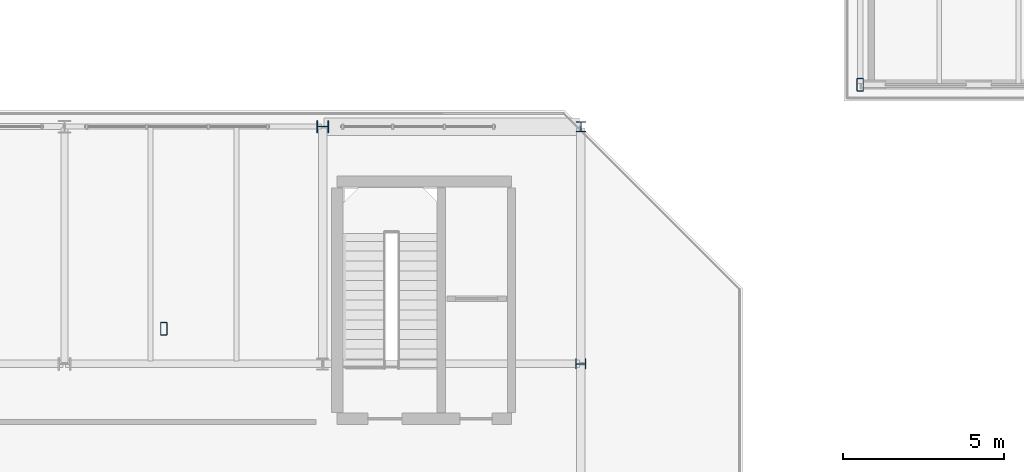
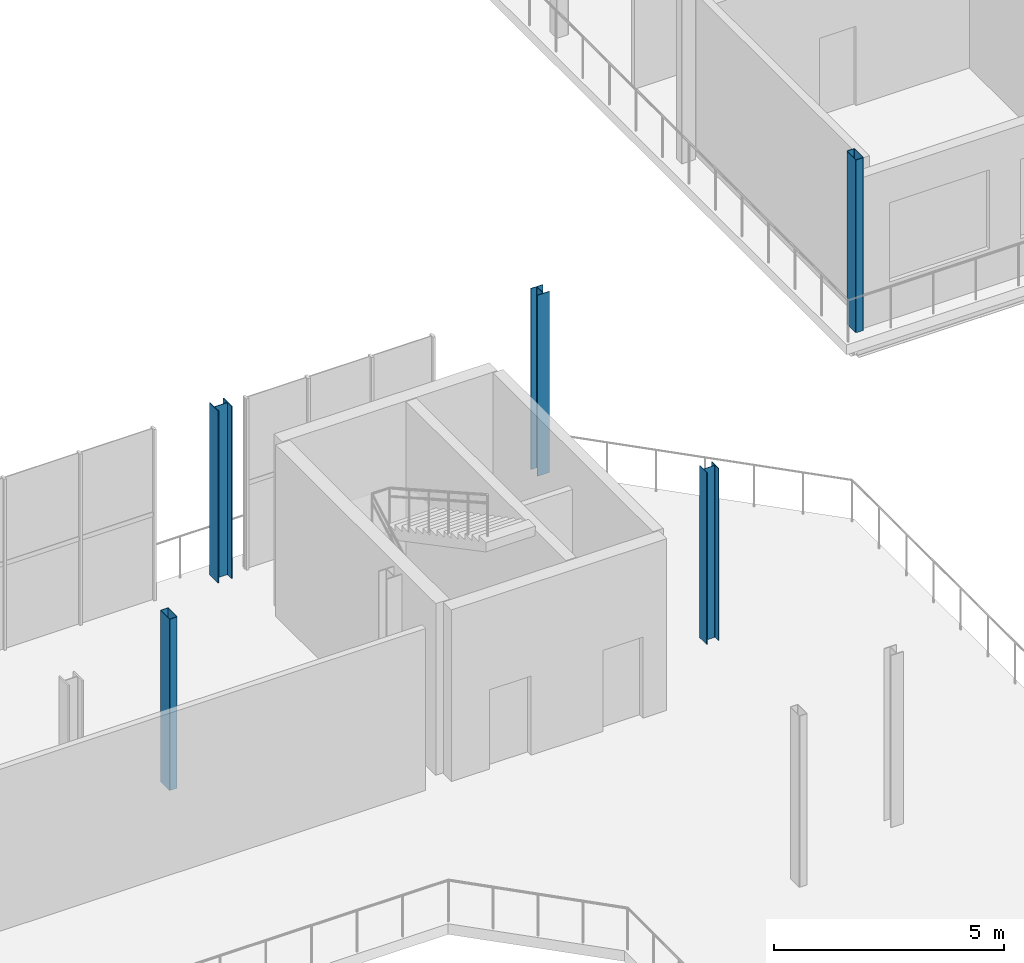
# One storey, part 9 of 51: 5 columns.
"""IFC4 building model written with IfcOpenShell, lengths in metres."""

from ifc_helpers import new_model, si_unit, direction, frame, origin, origin_2d, place, context, subcontext, project, spatial, hollow_rectangle, i_section, extrude, material, material_profile, profile_set, type_object, element, save


model = new_model("IFC4")

# Units and contexts
model_context = context("Model", 3, precision=1e-05, world=origin(), true_north=direction((0.0, 1.0)))
body_context = subcontext(model_context, "Body", "Model", "MODEL_VIEW")
ifc_project = project(units=[si_unit("LENGTHUNIT", "METRE"), si_unit("AREAUNIT", "SQUARE_METRE"), si_unit("VOLUMEUNIT", "CUBIC_METRE"), si_unit("PLANEANGLEUNIT", "RADIAN"), si_unit("MASSUNIT", "GRAM", prefix="KILO")], contexts=[model_context])

# Site, building, storey
site_placement = place(None, origin())
site = spatial("IfcSite", under=ifc_project, at=site_placement, CompositionType="ELEMENT")
building_placement = place(site_placement, origin())
building = spatial("IfcBuilding", under=site, at=building_placement, Name="Brisemont Oceanarium", CompositionType="ELEMENT")
storey_placement = place(building_placement, frame((0.0, 0.0, 15.0)))
storey = spatial("IfcBuildingStorey", under=building, at=storey_placement, Name="L03", CompositionType="ELEMENT", Elevation=15.0)

# Columns
ifc_material_1 = material(Name="Structural Steel ASTM A500 Gr.C", Category="steel")
ifc_material_profile_1 = material_profile(ifc_material_1, hollow_rectangle(XDim=0.202880859375, YDim=0.406005859375, WallThickness=0.01171875, InnerFilletRadius=0.01220703125, OuterFilletRadius=0.02392578125, at=origin_2d()), Name="HSS16X8X1/2")
ifc_profile_set_1 = profile_set([ifc_material_profile_1], Name="Structural Steel ASTM A500 Gr.C")
column_type_1 = type_object("IfcColumnType", Name="COL-HSS16X8", PredefinedType="COLUMN", material=ifc_profile_set_1)
column_1_placement = place(storey_placement, frame((112.64990234375, 80.64990234375, 0.0), z_axis=(0.0, 0.0, 1.0), x_axis=(1.0, 0.0, 0.0)))
element("IfcColumn", 1, at=column_1_placement, inside=storey, type_object=column_type_1, Name="V6 L03 column (0,0)", PredefinedType="COLUMN", context=body_context, shape_type="SweptSolid", body=[
    extrude(hollow_rectangle(XDim=0.202880859375, YDim=0.406005859375, WallThickness=0.01171875, InnerFilletRadius=0.01220703125, OuterFilletRadius=0.02392578125, at=origin_2d()), origin(), (0.0, 0.0, 1.0), 4.580078125),
])
column_2_placement = place(storey_placement, frame((91.07958984375, 73.091796875, 0.0), z_axis=(0.0, 0.0, 1.0), x_axis=(1.0, 0.0, 0.0)))
element("IfcColumn", 2, at=column_2_placement, inside=storey, type_object=column_type_1, Name="V1 dome drum pier L03.2", PredefinedType="COLUMN", context=body_context, shape_type="SweptSolid", body=[
    extrude(hollow_rectangle(XDim=0.202880859375, YDim=0.406005859375, WallThickness=0.01171875, InnerFilletRadius=0.01220703125, OuterFilletRadius=0.02392578125, at=origin_2d()), origin(), (0.0, 0.0, 1.0), 4.5400390625),
])
ifc_material_2 = material(Name="Structural Steel ASTM A992 Gr.50", Category="steel")
ifc_material_profile_2 = material_profile(ifc_material_2, i_section(OverallWidth=0.304931640625, OverallDepth=0.306884765625, WebThickness=0.010009765625, FlangeThickness=0.015380859375, FilletRadius=0.012939453125, at=origin_2d()), Name="W12X65")
ifc_profile_set_2 = profile_set([ifc_material_profile_2], Name="Structural Steel ASTM A992 Gr.50")
column_type_2 = type_object("IfcColumnType", Name="COL-W12X65", PredefinedType="COLUMN", material=ifc_profile_set_2)
column_3_placement = place(storey_placement, frame((104.0, 79.35009765625, 0.0), z_axis=(0.0, 0.0, 1.0), x_axis=(1.0, 0.0, 0.0)))
element("IfcColumn", 3, at=column_3_placement, inside=storey, type_object=column_type_2, Name="V1 L03 column (6,6)", PredefinedType="COLUMN", context=body_context, shape_type="SweptSolid", body=[
    extrude(i_section(OverallWidth=0.304931640625, OverallDepth=0.306884765625, WebThickness=0.010009765625, FlangeThickness=0.015380859375, FilletRadius=0.012939453125, at=origin_2d()), origin(), (0.0, 0.0, 1.0), 4.800048828125),
])
ifc_material_3 = material(Name="Structural Steel ASTM A992 Gr.50", Category="steel")
ifc_material_profile_3 = material_profile(ifc_material_3, i_section(OverallWidth=0.305908203125, OverallDepth=0.31103515625, WebThickness=0.010986328125, FlangeThickness=0.01708984375, FilletRadius=0.012939453125, at=origin_2d()), Name="W12X72")
ifc_profile_set_3 = profile_set([ifc_material_profile_3], Name="Structural Steel ASTM A992 Gr.50")
column_type_3 = type_object("IfcColumnType", Name="COL-W12X72", PredefinedType="COLUMN", material=ifc_profile_set_3)
column_4_placement = place(storey_placement, frame((104.0, 72.0, 0.0), z_axis=(0.0, 0.0, 1.0), x_axis=(0.0, 1.0, 0.0)))
element("IfcColumn", 4, at=column_4_placement, inside=storey, type_object=column_type_3, Name="V1 L03 column (6,5)", PredefinedType="COLUMN", context=body_context, shape_type="SweptSolid", body=[
    extrude(i_section(OverallWidth=0.305908203125, OverallDepth=0.31103515625, WebThickness=0.010986328125, FlangeThickness=0.01708984375, FilletRadius=0.012939453125, at=origin_2d()), origin(), (0.0, 0.0, 1.0), 4.56005859375),
])
ifc_material_4 = material(Name="Structural Steel ASTM A992 Gr.50", Category="steel")
ifc_material_profile_4 = material_profile(ifc_material_4, i_section(OverallWidth=0.373046875, OverallDepth=0.367919921875, WebThickness=0.014892578125, FlangeThickness=0.02392578125, FilletRadius=0.014892578125, at=origin_2d()), Name="W14X120")
ifc_profile_set_4 = profile_set([ifc_material_profile_4], Name="Structural Steel ASTM A992 Gr.50")
column_type_4 = type_object("IfcColumnType", Name="COL-W14X120", PredefinedType="COLUMN", material=ifc_profile_set_4)
column_5_placement = place(storey_placement, frame((96.0, 79.35009765625, 0.0), z_axis=(0.0, 0.0, 1.0), x_axis=(0.0, 1.0, 0.0)))
element("IfcColumn", 5, at=column_5_placement, inside=storey, type_object=column_type_4, Name="V1 L03 column (5,6)", PredefinedType="COLUMN", context=body_context, shape_type="SweptSolid", body=[
    extrude(i_section(OverallWidth=0.373046875, OverallDepth=0.367919921875, WebThickness=0.014892578125, FlangeThickness=0.02392578125, FilletRadius=0.014892578125, at=origin_2d()), origin(), (0.0, 0.0, 1.0), 4.56005859375),
])

save(model, "model.ifc")
